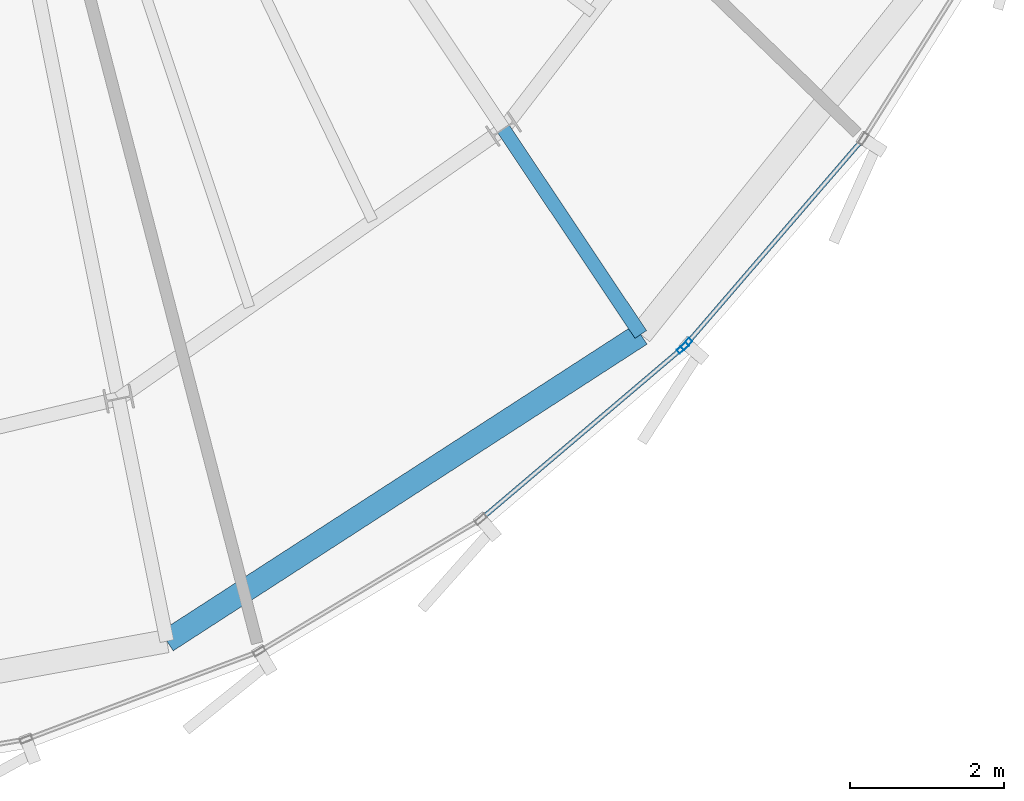
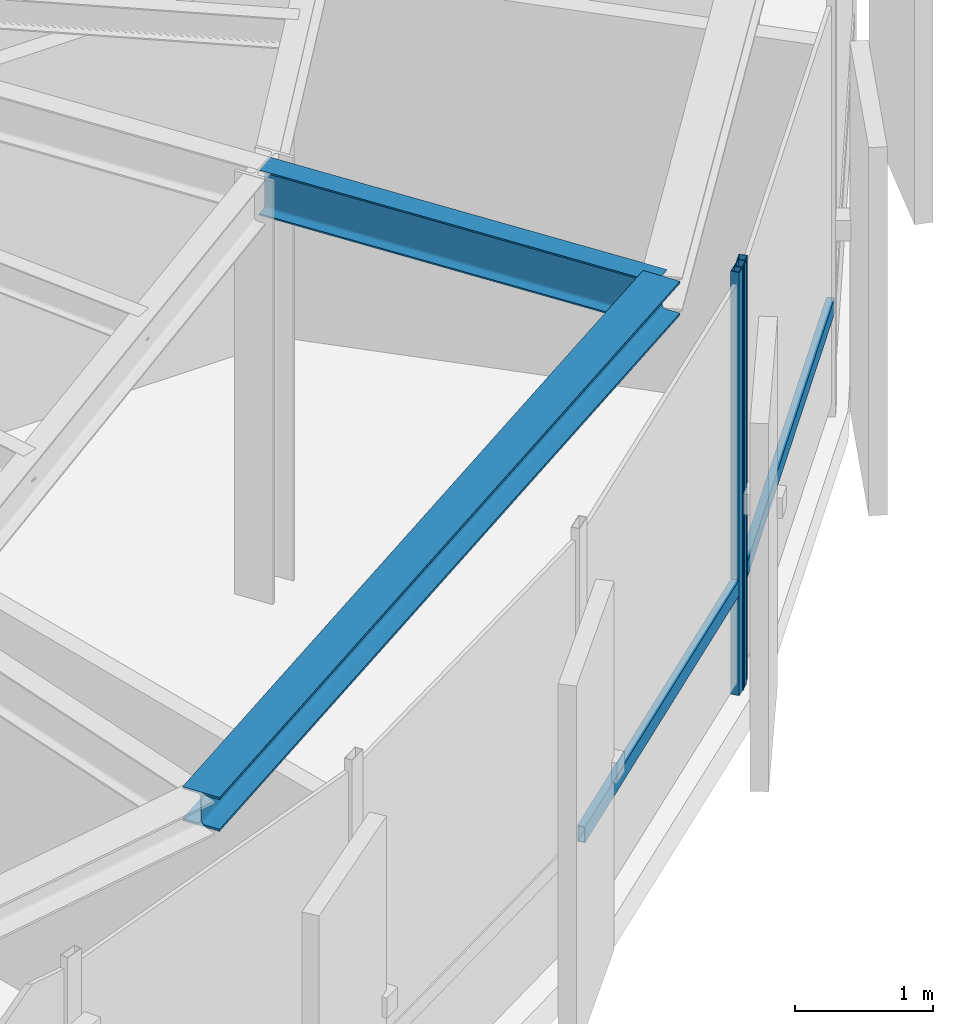
# One storey, part 7 of 26: 4 members, 2 beams, 2 elements without a shape of their own.
"""IFC4 building model written with IfcOpenShell, lengths in metres."""

from ifc_helpers import new_model, si_unit, direction, frame, origin, origin_2d, place, context, subcontext, project, spatial, hollow_rectangle, i_section, extrude, source, transform, mapped, material, layer, layer_set, material_profile, profile_set, type_object, element, aggregate, save


model = new_model("IFC4")

# Units and contexts
model_context = context("Model", 3, precision=1e-05, world=origin(), true_north=direction((0.0, 1.0)))
body_context = subcontext(model_context, "Body", "Model", "MODEL_VIEW")
ifc_project = project(units=[si_unit("LENGTHUNIT", "METRE"), si_unit("AREAUNIT", "SQUARE_METRE"), si_unit("VOLUMEUNIT", "CUBIC_METRE"), si_unit("PLANEANGLEUNIT", "RADIAN"), si_unit("MASSUNIT", "GRAM", prefix="KILO"), si_unit("THERMODYNAMICTEMPERATUREUNIT", "KELVIN")], contexts=[model_context])

# Site, building, storey
site_placement = place(None, origin())
site = spatial("IfcSite", under=ifc_project, at=site_placement, CompositionType="ELEMENT")
building_placement = place(site_placement, origin())
building = spatial("IfcBuilding", under=site, at=building_placement, Name="Kethvar Cultural Tower", CompositionType="ELEMENT")
storey_placement = place(building_placement, frame((0.0, 0.0, 316.300048828125)))
storey = spatial("IfcBuildingStorey", under=building, at=storey_placement, Name="L84", CompositionType="ELEMENT", Elevation=316.300048828125)

# Beams
ifc_material_1 = material(Name="Steel S355J2", Category="steel")
ifc_material_profile_1 = material_profile(ifc_material_1, i_section(OverallWidth=0.179931640625, OverallDepth=0.39990234375, WebThickness=0.008544921875, FlangeThickness=0.013427734375, FilletRadius=0.02099609375, at=origin_2d()), Name="Steel S355J2 — IPE400")
ifc_profile_set_1 = profile_set([ifc_material_profile_1], Name="Steel S355J2 — IPE400")
beam_type_1 = type_object("IfcBeamType", Name="BM-IPE400", PredefinedType="BEAM", material=ifc_profile_set_1)
shared_shape_1 = source(origin(), body_context, "Body", "SweptSolid", [
    extrude(i_section(OverallWidth=0.179931640625, OverallDepth=0.39990234375, WebThickness=0.008544921875, FlangeThickness=0.013427734375, FilletRadius=0.02099609375, at=origin_2d()), origin(), (0.0, 0.0, 1.0), 3.199951171875),
])
beam_1_placement = place(storey_placement, frame((54.885009765625, 15.7001953125, 3.532958984375), z_axis=(0.555492222339, -0.83152173208, 0.0), x_axis=(0.83152173208, 0.555492222339, 0.0)))
element("IfcBeam", 1, at=beam_1_placement, inside=storey, type_object=beam_type_1, Name="L84 Perimeter Cantilever Beam RC-14", PredefinedType="BEAM", context=body_context, shape_type="MappedRepresentation", body=[
    mapped(shared_shape_1, transform((0.0, 0.0, 0.0), scale=1.0)),
])
ifc_material_profile_2 = material_profile(ifc_material_1, i_section(OverallWidth=0.300048828125, OverallDepth=0.300048828125, WebThickness=0.010986328125, FlangeThickness=0.01904296875, FilletRadius=0.027099609375, at=origin_2d()), Name="Steel S355J2 — HEB300")
ifc_profile_set_2 = profile_set([ifc_material_profile_2], Name="Steel S355J2 — HEB300")
beam_type_2 = type_object("IfcBeamType", Name="BM-SP300", PredefinedType="SPANDREL", material=ifc_profile_set_2)
shared_shape_2 = source(origin(), body_context, "Body", "SweptSolid", [
    extrude(i_section(OverallWidth=0.300048828125, OverallDepth=0.300048828125, WebThickness=0.010986328125, FlangeThickness=0.01904296875, FilletRadius=0.027099609375, at=origin_2d()), origin(), (0.0, 0.0, 1.0), 7.309326171875),
])
beam_2_placement = place(storey_placement, frame((50.52587890625, 9.068359375, 3.5830078125), z_axis=(0.839562091992, 0.543263742292, 0.0), x_axis=(-0.543263742292, 0.839562091992, 0.0)))
element("IfcBeam", 2, at=beam_2_placement, inside=storey, type_object=beam_type_2, Name="L84 Perimeter Spandrel Beam SP-13", PredefinedType="SPANDREL", context=body_context, shape_type="MappedRepresentation", body=[
    mapped(shared_shape_2, transform((0.0, 0.0, 0.0), scale=1.0)),
])

# Curtain wall, member
ifc_material_2 = material(Name="Aluminium 6063-T6", Category="aluminium")
ifc_layer = layer(ifc_material_2, 0.179931640625, Name="Aluminium 6063-T6", Category="aluminium")
ifc_layer_set = layer_set([ifc_layer], Name="Aluminium 6063-T6 (180 mm)")
curtain_wall_type = type_object("IfcCurtainWallType", Name="CW-SYS-06-CROWN", PredefinedType="NOTDEFINED", material=ifc_layer_set)
curtain_wall_1_placement = place(storey_placement, origin())
curtain_wall_1 = element("IfcCurtainWall", 3, at=curtain_wall_1_placement, inside=storey, type_object=curtain_wall_type, Name="L84 Curtain Wall Run 04", PredefinedType="NOTDEFINED")
ifc_material_profile_3 = material_profile(ifc_material_2, hollow_rectangle(XDim=0.06494140625, YDim=0.159912109375, WallThickness=0.0048828125, at=origin_2d()), Name="Aluminium 6063-T6 — RHS160x65x5")
ifc_profile_set_3 = profile_set([ifc_material_profile_3], Name="Aluminium 6063-T6 — RHS160x65x5")
member_type_1 = type_object("IfcMemberType", Name="CW-SYS-06-CROWN-MUL", PredefinedType="MULLION", material=ifc_profile_set_3)
shared_shape_3 = source(origin(), body_context, "Body", "SweptSolid", [
    extrude(hollow_rectangle(XDim=0.06494140625, YDim=0.159912109375, WallThickness=0.0048828125, at=origin_2d()), origin(), (0.0, 0.0, 1.0), 3.73486328125),
])
member_1_placement = place(storey_placement, frame((57.20751953125, 12.8681640625, 0.0), z_axis=(0.0, 0.0, 1.0), x_axis=(-0.647375275966, 0.762171405963, 0.0)))
member_1 = element("IfcMember", 4, at=member_1_placement, type_object=member_type_1, Name="CW-L84-R04 Mullion 7", PredefinedType="MULLION", context=body_context, shape_type="MappedRepresentation", body=[
    mapped(shared_shape_3, transform((0.0, 0.0, 0.0), scale=1.0)),
])

curtain_wall_2_placement = place(storey_placement, origin())
curtain_wall_2 = element("IfcCurtainWall", 5, at=curtain_wall_2_placement, inside=storey, type_object=curtain_wall_type, Name="L84 Curtain Wall Run 05", PredefinedType="NOTDEFINED")
member_2_placement = place(storey_placement, frame((57.25390625, 12.914306640625, 0.0), z_axis=(0.0, 0.0, 1.0), x_axis=(-0.757918050497, 0.652349774838, 0.0)))
member_2 = element("IfcMember", 6, at=member_2_placement, type_object=member_type_1, Name="CW-L84-R05 Mullion 1", PredefinedType="MULLION", context=body_context, shape_type="MappedRepresentation", body=[
    mapped(shared_shape_3, transform((0.0, 0.0, 0.0), scale=1.0)),
])

# Member
ifc_material_profile_4 = material_profile(ifc_material_2, hollow_rectangle(XDim=0.06005859375, YDim=0.139892578125, WallThickness=0.0048828125, at=origin_2d()), Name="Aluminium 6063-T6 — RHS140x60x5")
ifc_profile_set_4 = profile_set([ifc_material_profile_4], Name="Aluminium 6063-T6 — RHS140x60x5")
member_type_2 = type_object("IfcMemberType", Name="CW-SYS-06-CROWN-TRN", PredefinedType="USERDEFINED", material=ifc_profile_set_4)
shared_shape_4 = source(origin(), body_context, "Body", "SweptSolid", [
    extrude(hollow_rectangle(XDim=0.06005859375, YDim=0.139892578125, WallThickness=0.0048828125, at=origin_2d()), origin(), (0.0, 0.0, 1.0), 3.37939453125),
])
member_3_placement = place(storey_placement, frame((54.62841796875, 10.677490234375, 0.949951171875), z_axis=(0.762170994052, 0.647375760919, 0.0), x_axis=(-0.647375760919, 0.762170994052, 0.0)))
member_3 = element("IfcMember", 7, at=member_3_placement, type_object=member_type_2, Name="CW-L84-R04 Transom 6", ObjectType="TRANSOM", PredefinedType="USERDEFINED", context=body_context, shape_type="MappedRepresentation", body=[
    mapped(shared_shape_4, transform((0.0, 0.0, 0.0), scale=1.0)),
])

aggregate(curtain_wall_1, [member_1, member_3])

shared_shape_5 = source(origin(), body_context, "Body", "SweptSolid", [
    extrude(hollow_rectangle(XDim=0.06005859375, YDim=0.139892578125, WallThickness=0.0048828125, at=origin_2d()), origin(), (0.0, 0.0, 1.0), 3.473876953125),
])
member_4_placement = place(storey_placement, frame((57.257080078125, 12.917724609375, 0.949951171875), z_axis=(0.652317976427, 0.757945418635, 0.0), x_axis=(-0.757945418635, 0.652317976427, 0.0)))
member_4 = element("IfcMember", 8, at=member_4_placement, type_object=member_type_2, Name="CW-L84-R05 Transom 1", ObjectType="TRANSOM", PredefinedType="USERDEFINED", context=body_context, shape_type="MappedRepresentation", body=[
    mapped(shared_shape_5, transform((0.0, 0.0, 0.0), scale=1.0)),
])

aggregate(curtain_wall_2, [member_2, member_4])

save(model, "model.ifc")
